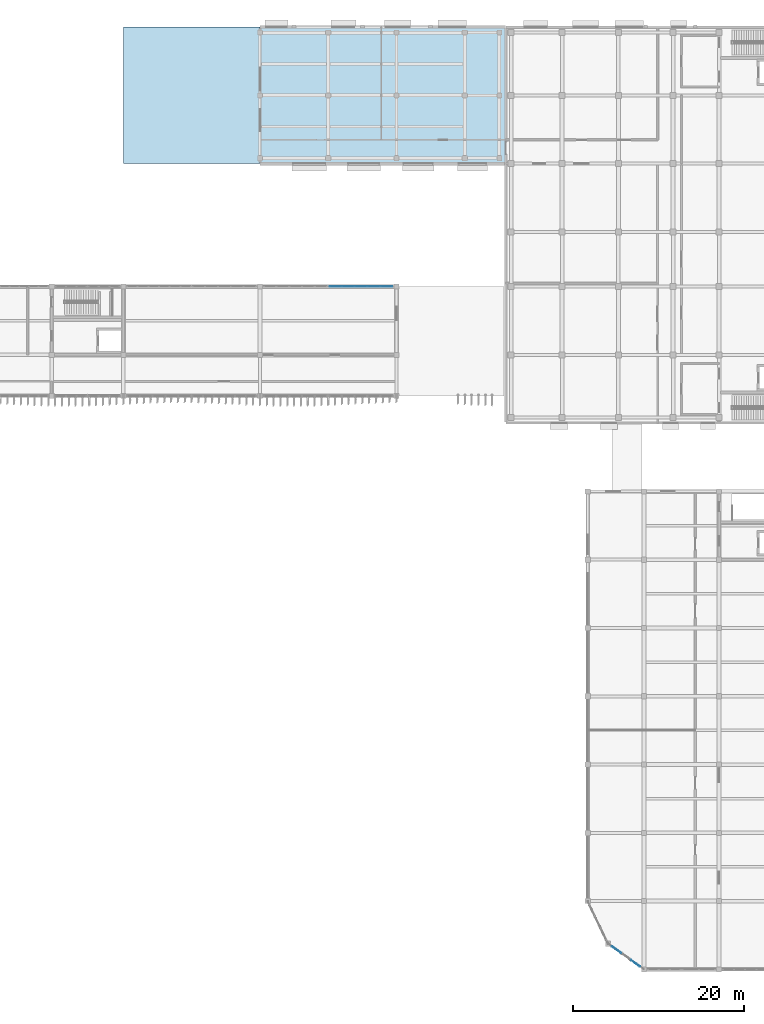
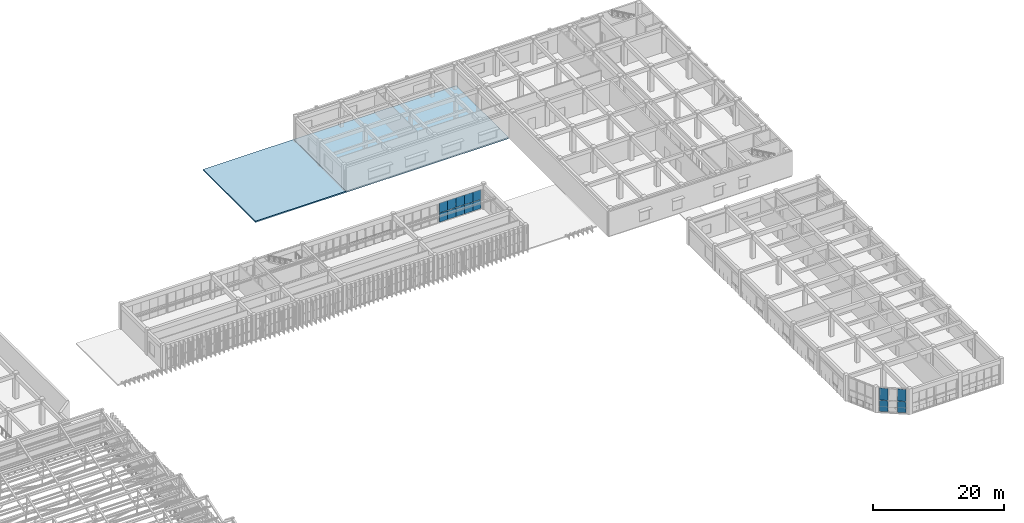
# One storey, part 46 of 76: 14 plates, 2 slabs, 2 elements without a shape of their own.
"""IFC4 building model written with IfcOpenShell, lengths in metres."""

from ifc_helpers import new_model, si_unit, direction, frame, origin, origin_2d, place, context, subcontext, project, spatial, polyline, rectangle, outline, extrude, material, layer, layer_set, type_object, element, aggregate, save


model = new_model("IFC4")

# Units and contexts
model_context = context("Model", 3, precision=1e-05, world=origin(), true_north=direction((0.0, 1.0)))
body_context = subcontext(model_context, "Body", "Model", "MODEL_VIEW")
ifc_project = project(units=[si_unit("LENGTHUNIT", "METRE"), si_unit("AREAUNIT", "SQUARE_METRE"), si_unit("VOLUMEUNIT", "CUBIC_METRE"), si_unit("PLANEANGLEUNIT", "RADIAN"), si_unit("MASSUNIT", "GRAM", prefix="KILO")], contexts=[model_context])

# Site, building, storey
site_placement = place(None, origin())
site = spatial("IfcSite", under=ifc_project, at=site_placement, CompositionType="ELEMENT")
building_placement = place(site_placement, origin())
building = spatial("IfcBuilding", under=site, at=building_placement, Name="Cinchona Park Media Centre", CompositionType="ELEMENT")
storey_placement = place(building_placement, frame((0.0, 0.0, 15.60009765625)))
storey = spatial("IfcBuildingStorey", under=building, at=storey_placement, Name="L03", CompositionType="ELEMENT", Elevation=15.60009765625)

# Curtain wall, plates
ifc_material_1 = material(Name="Aluminium Curtain Wall Framing", Category="aluminium")
ifc_layer_1 = layer(ifc_material_1, 0.27001953125)
ifc_layer_set_1 = layer_set([ifc_layer_1], Name="Aluminium Curtain Wall Framing")
curtain_wall_type_1 = type_object("IfcCurtainWallType", Name="CW-CW07", PredefinedType="USERDEFINED", material=ifc_layer_set_1)
curtain_wall_1_placement = place(storey_placement, origin())
curtain_wall_1 = element("IfcCurtainWall", 1, at=curtain_wall_1_placement, inside=storey, type_object=curtain_wall_type_1, Name="Curtain Wall CW07 L03", ObjectType="UNITISED CURTAIN WALL", PredefinedType="USERDEFINED")
ifc_material_2 = material(Name="Laminated Solar-Control Double Glazing", Category="glass")
ifc_layer_2 = layer(ifc_material_2, 0.080078125)
ifc_layer_set_2 = layer_set([ifc_layer_2], Name="Laminated Solar-Control Double Glazing")
plate_type_1 = type_object("IfcPlateType", Name="CWPANEL-PNL07", PredefinedType="CURTAIN_PANEL", material=ifc_layer_set_2)
plate_1_placement = place(storey_placement, frame((119.648681640625, 87.60009765625, 0.125), z_axis=(0.0, 0.0, 1.0), x_axis=(1.0, 0.0, 0.0)))
plate_1 = element("IfcPlate", 2, at=plate_1_placement, type_object=plate_type_1, Name="CW07 panel 1.1", PredefinedType="CURTAIN_PANEL", context=body_context, shape_type="SweptSolid", body=[
    extrude(rectangle(XDim=1.387451171875, YDim=0.080078125, at=origin_2d()), origin(), (0.0, 0.0, 1.0), 1.653564453125),
])
plate_2_placement = place(storey_placement, frame((119.648681640625, 87.60009765625, 1.853515625), z_axis=(0.0, 0.0, 1.0), x_axis=(1.0, 0.0, 0.0)))
plate_2 = element("IfcPlate", 3, at=plate_2_placement, type_object=plate_type_1, Name="CW07 panel 1.2", PredefinedType="CURTAIN_PANEL", context=body_context, shape_type="SweptSolid", body=[
    extrude(rectangle(XDim=1.387451171875, YDim=0.080078125, at=origin_2d()), origin(), (0.0, 0.0, 1.0), 1.801513671875),
])
plate_3_placement = place(storey_placement, frame((121.1298828125, 87.60009765625, 0.125), z_axis=(0.0, 0.0, 1.0), x_axis=(1.0, 0.0, 0.0)))
plate_3 = element("IfcPlate", 4, at=plate_3_placement, type_object=plate_type_1, Name="CW07 panel 2.1", PredefinedType="CURTAIN_PANEL", context=body_context, shape_type="SweptSolid", body=[
    extrude(rectangle(XDim=1.425048828125, YDim=0.080078125, at=origin_2d()), origin(), (0.0, 0.0, 1.0), 1.653564453125),
])
plate_4_placement = place(storey_placement, frame((121.1298828125, 87.60009765625, 1.853515625), z_axis=(0.0, 0.0, 1.0), x_axis=(1.0, 0.0, 0.0)))
plate_4 = element("IfcPlate", 5, at=plate_4_placement, type_object=plate_type_1, Name="CW07 panel 2.2", PredefinedType="CURTAIN_PANEL", context=body_context, shape_type="SweptSolid", body=[
    extrude(rectangle(XDim=1.425048828125, YDim=0.080078125, at=origin_2d()), origin(), (0.0, 0.0, 1.0), 1.801513671875),
])
plate_5_placement = place(storey_placement, frame((122.6298828125, 87.60009765625, 0.125), z_axis=(0.0, 0.0, 1.0), x_axis=(1.0, 0.0, 0.0)))
plate_5 = element("IfcPlate", 6, at=plate_5_placement, type_object=plate_type_1, Name="CW07 panel 3.1", PredefinedType="CURTAIN_PANEL", context=body_context, shape_type="SweptSolid", body=[
    extrude(rectangle(XDim=1.425048828125, YDim=0.080078125, at=origin_2d()), origin(), (0.0, 0.0, 1.0), 1.653564453125),
])
plate_6_placement = place(storey_placement, frame((122.6298828125, 87.60009765625, 1.853515625), z_axis=(0.0, 0.0, 1.0), x_axis=(1.0, 0.0, 0.0)))
plate_6 = element("IfcPlate", 7, at=plate_6_placement, type_object=plate_type_1, Name="CW07 panel 3.2", PredefinedType="CURTAIN_PANEL", context=body_context, shape_type="SweptSolid", body=[
    extrude(rectangle(XDim=1.425048828125, YDim=0.080078125, at=origin_2d()), origin(), (0.0, 0.0, 1.0), 1.801513671875),
])
plate_7_placement = place(storey_placement, frame((124.1298828125, 87.60009765625, 0.125), z_axis=(0.0, 0.0, 1.0), x_axis=(1.0, 0.0, 0.0)))
plate_7 = element("IfcPlate", 8, at=plate_7_placement, type_object=plate_type_1, Name="CW07 panel 4.1", PredefinedType="CURTAIN_PANEL", context=body_context, shape_type="SweptSolid", body=[
    extrude(rectangle(XDim=1.425048828125, YDim=0.080078125, at=origin_2d()), origin(), (0.0, 0.0, 1.0), 1.653564453125),
])
plate_8_placement = place(storey_placement, frame((124.1298828125, 87.60009765625, 1.853515625), z_axis=(0.0, 0.0, 1.0), x_axis=(1.0, 0.0, 0.0)))
plate_8 = element("IfcPlate", 9, at=plate_8_placement, type_object=plate_type_1, Name="CW07 panel 4.2", PredefinedType="CURTAIN_PANEL", context=body_context, shape_type="SweptSolid", body=[
    extrude(rectangle(XDim=1.425048828125, YDim=0.080078125, at=origin_2d()), origin(), (0.0, 0.0, 1.0), 1.801513671875),
])
plate_9_placement = place(storey_placement, frame((125.611328125, 87.60009765625, 0.125), z_axis=(0.0, 0.0, 1.0), x_axis=(1.0, 0.0, 0.0)))
plate_9 = element("IfcPlate", 10, at=plate_9_placement, type_object=plate_type_1, Name="CW07 panel 5.1", PredefinedType="CURTAIN_PANEL", context=body_context, shape_type="SweptSolid", body=[
    extrude(rectangle(XDim=1.387451171875, YDim=0.080078125, at=origin_2d()), origin(), (0.0, 0.0, 1.0), 1.653564453125),
])
plate_10_placement = place(storey_placement, frame((125.611328125, 87.60009765625, 1.853515625), z_axis=(0.0, 0.0, 1.0), x_axis=(1.0, 0.0, 0.0)))
plate_10 = element("IfcPlate", 11, at=plate_10_placement, type_object=plate_type_1, Name="CW07 panel 5.2", PredefinedType="CURTAIN_PANEL", context=body_context, shape_type="SweptSolid", body=[
    extrude(rectangle(XDim=1.387451171875, YDim=0.080078125, at=origin_2d()), origin(), (0.0, 0.0, 1.0), 1.801513671875),
])
aggregate(curtain_wall_1, [plate_1, plate_2, plate_3, plate_4, plate_5, plate_6, plate_7, plate_8, plate_9, plate_10])

ifc_material_3 = material(Name="Aluminium Curtain Wall Framing", Category="aluminium")
ifc_layer_3 = layer(ifc_material_3, 0.2099609375)
ifc_layer_set_3 = layer_set([ifc_layer_3], Name="Aluminium Curtain Wall Framing")
curtain_wall_type_2 = type_object("IfcCurtainWallType", Name="CW-CW03", PredefinedType="USERDEFINED", material=ifc_layer_set_3)
curtain_wall_2_placement = place(storey_placement, origin())
curtain_wall_2 = element("IfcCurtainWall", 12, at=curtain_wall_2_placement, inside=storey, type_object=curtain_wall_type_2, Name="Curtain Wall CW03 L03", ObjectType="UNITISED CURTAIN WALL", PredefinedType="USERDEFINED")
ifc_material_4 = material(Name="Insulated Acoustic Aluminium-Glass Spandrel Cassette", Category="aluminium")
ifc_layer_4 = layer(ifc_material_4, 0.090087890625)
ifc_layer_set_4 = layer_set([ifc_layer_4], Name="Insulated Acoustic Aluminium-Glass Spandrel Cassette")
plate_type_2 = type_object("IfcPlateType", Name="CWPANEL-PNL08", PredefinedType="CURTAIN_PANEL", material=ifc_layer_set_4)
plate_11_placement = place(storey_placement, frame((154.82470703125, 8.296142578125, 0.125), z_axis=(0.0, 0.0, 1.0), x_axis=(-0.813604858776, 0.581418209016, 0.0)))
plate_11 = element("IfcPlate", 13, at=plate_11_placement, type_object=plate_type_2, Name="CW03 panel 1.1", PredefinedType="CURTAIN_PANEL", context=body_context, shape_type="SweptSolid", body=[
    extrude(rectangle(XDim=1.28857421875, YDim=0.090087890625, at=origin_2d()), origin(), (0.0, 0.0, 1.0), 2.049560546875),
])
plate_12_placement = place(storey_placement, frame((154.82470703125, 8.296142578125, 2.24951171875), z_axis=(0.0, 0.0, 1.0), x_axis=(-0.813604858776, 0.581418209016, 0.0)))
plate_12 = element("IfcPlate", 14, at=plate_12_placement, type_object=plate_type_2, Name="CW03 panel 1.2", PredefinedType="CURTAIN_PANEL", context=body_context, shape_type="SweptSolid", body=[
    extrude(rectangle(XDim=1.28857421875, YDim=0.090087890625, at=origin_2d()), origin(), (0.0, 0.0, 1.0), 2.23046875),
])
plate_13_placement = place(storey_placement, frame((152.5751953125, 9.90380859375, 0.125), z_axis=(0.0, 0.0, 1.0), x_axis=(-0.813604858776, 0.581418209016, 0.0)))
plate_13 = element("IfcPlate", 15, at=plate_13_placement, type_object=plate_type_2, Name="CW03 panel 3.1", PredefinedType="CURTAIN_PANEL", context=body_context, shape_type="SweptSolid", body=[
    extrude(rectangle(XDim=1.28857421875, YDim=0.090087890625, at=origin_2d()), origin(), (0.0, 0.0, 1.0), 2.049560546875),
])
plate_14_placement = place(storey_placement, frame((152.5751953125, 9.90380859375, 2.24951171875), z_axis=(0.0, 0.0, 1.0), x_axis=(-0.813604858776, 0.581418209016, 0.0)))
plate_14 = element("IfcPlate", 16, at=plate_14_placement, type_object=plate_type_2, Name="CW03 panel 3.2", PredefinedType="CURTAIN_PANEL", context=body_context, shape_type="SweptSolid", body=[
    extrude(rectangle(XDim=1.28857421875, YDim=0.090087890625, at=origin_2d()), origin(), (0.0, 0.0, 1.0), 2.23046875),
])
aggregate(curtain_wall_2, [plate_11, plate_12, plate_13, plate_14])

# Slabs
ifc_material_5 = material(Name="Concrete C35/45", Category="concrete")
ifc_layer_5 = layer(ifc_material_5, 0.235107421875)
ifc_layer_set_5 = layer_set([ifc_layer_5], Name="Concrete C35/45")
slab_type_1 = type_object("IfcSlabType", Name="SLAB-RS02-235", PredefinedType="ROOF", material=ifc_layer_set_5)
slab_1_placement = place(storey_placement, frame((0.0, 0.0, -0.235107421875)))
element("IfcSlab", 17, at=slab_1_placement, inside=storey, type_object=slab_type_1, Name="Roof Slab RF-V3-L03STEP", PredefinedType="ROOF", context=body_context, shape_type="SweptSolid", body=[
    extrude(outline(polyline([(94.800048828125, 102.0), (110.780029296875, 102.0), (110.780029296875, 118.0), (94.800048828125, 118.0), (94.800048828125, 102.0)])), origin(), (0.0, 0.0, 1.0), 0.235107421875),
])
ifc_material_6 = material(Name="Concrete C35/45", Category="concrete")
ifc_layer_6 = layer(ifc_material_6, 0.239990234375)
ifc_layer_set_6 = layer_set([ifc_layer_6], Name="Concrete C35/45")
slab_type_2 = type_object("IfcSlabType", Name="SLAB-SL07-240", PredefinedType="FLOOR", material=ifc_layer_set_6)
slab_2_placement = place(storey_placement, frame((0.0, 0.0, -0.239990234375)))
element("IfcSlab", 18, at=slab_2_placement, inside=storey, type_object=slab_type_2, Name="Film Archive Vault Floor Slab V3 L03", PredefinedType="FLOOR", context=body_context, shape_type="SweptSolid", body=[
    extrude(outline(polyline([(110.800048828125, 102.0), (139.5, 102.0), (139.5, 118.0), (110.800048828125, 118.0), (110.800048828125, 102.0)])), origin(), (0.0, 0.0, 1.0), 0.239990234375),
])

save(model, "model.ifc")
